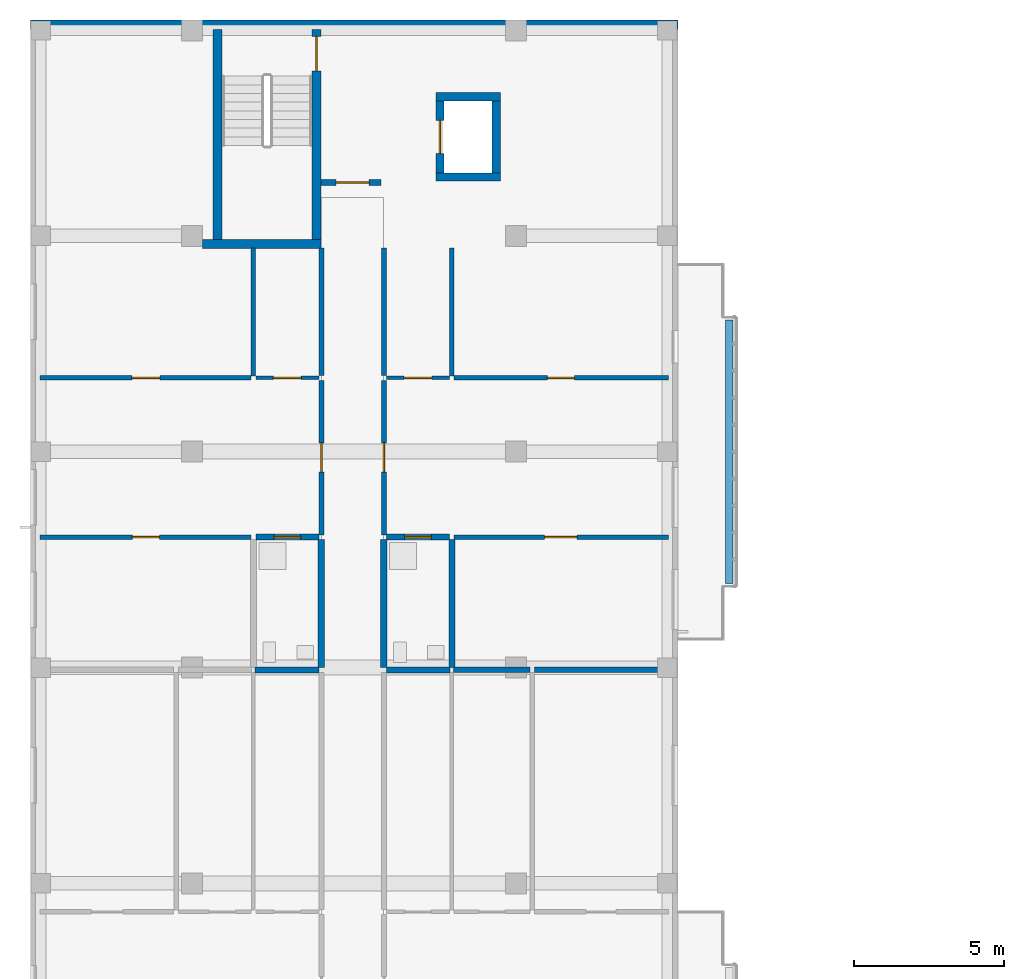
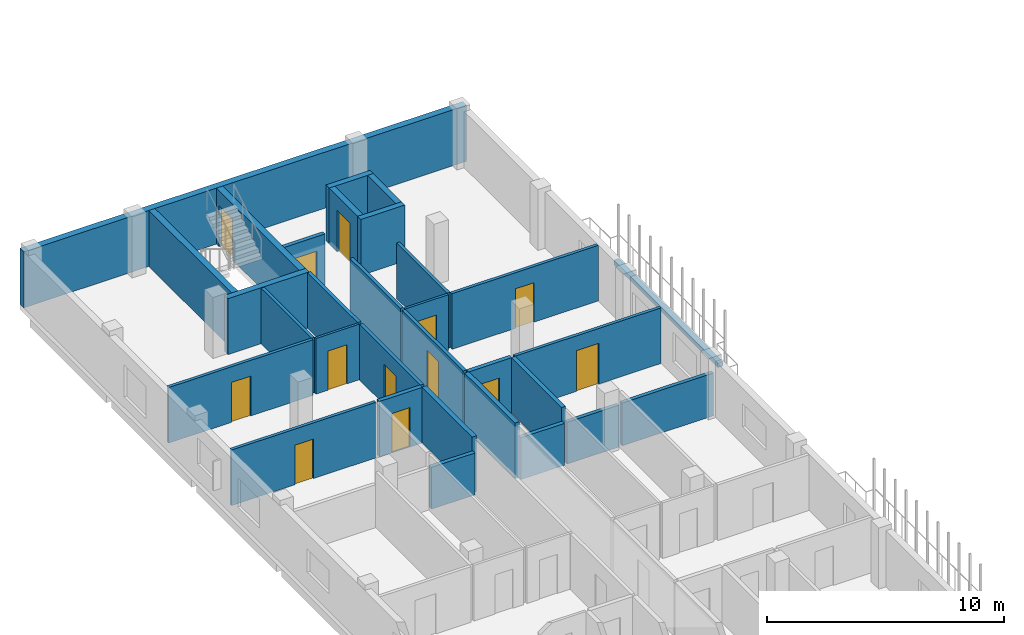
# One storey, part 29 of 51: 31 walls, 13 doors, 13 openings.
"""IFC4 building model written with IfcOpenShell, lengths in metres."""

from ifc_helpers import new_model, si_unit, derived_unit, direction, frame, frame_2d, origin, place, context, subcontext, project, spatial, rectangle, extrude, material, layer, layer_set, type_object, element, fill, save


model = new_model("IFC4")

# Units and contexts
model_context = context("Model", 3, precision=1e-05, world=origin(), true_north=direction((0.0, 1.0)))
body_context = subcontext(model_context, "Body", "Model", "MODEL_VIEW")
ifc_project = project(units=[si_unit("LENGTHUNIT", "METRE"), si_unit("AREAUNIT", "SQUARE_METRE"), si_unit("VOLUMEUNIT", "CUBIC_METRE"), si_unit("PLANEANGLEUNIT", "RADIAN"), si_unit("MASSUNIT", "GRAM", prefix="KILO"), derived_unit("THERMALTRANSMITTANCEUNIT", [(si_unit("MASSUNIT", "GRAM", prefix="KILO"), 1), (si_unit("TIMEUNIT", "SECOND"), -3), (si_unit("THERMODYNAMICTEMPERATUREUNIT", "KELVIN"), -1)])], contexts=[model_context])

# Site, building, storey
site_placement = place(None, origin())
site = spatial("IfcSite", under=ifc_project, at=site_placement, CompositionType="ELEMENT")
building_placement = place(site_placement, origin())
building = spatial("IfcBuilding", under=site, at=building_placement, Name="Ochrekiln Boulevard Commons", CompositionType="ELEMENT")
storey_placement = place(building_placement, frame((0.0, 0.0, 15.22509765625)))
storey = spatial("IfcBuildingStorey", under=building, at=storey_placement, Name="L04", CompositionType="ELEMENT", Elevation=15.22509765625)

# Walls
ifc_material_1 = material(Name="Desert ochre clinker brick masonry ASTM C216 Grade SW", Category="masonry")
ifc_layer_1 = layer(ifc_material_1, 0.320068359375)
ifc_layer_set_1 = layer_set([ifc_layer_1], Name="Desert ochre clinker brick masonry ASTM C216 Grade SW")
wall_type_1 = type_object("IfcWallType", Name="WL-EXT-OCHRE-320", PredefinedType="SOLIDWALL", material=ifc_layer_set_1)
wall_1_placement = place(storey_placement, frame((0.0, 118.639892578125, 0.0), z_axis=(0.0, 0.0, 1.0), x_axis=(1.0, 0.0, 0.0)))
element("IfcWall", 1, at=wall_1_placement, inside=storey, type_object=wall_type_1, Name="Block A L04 N Exterior Wall", PredefinedType="SOLIDWALL", context=body_context, shape_type="SweptSolid", body=[
    extrude(rectangle(XDim=21.60009765625, YDim=0.320068359375, at=frame_2d((10.800048828125, 0.0))), origin(), (0.0, 0.0, 1.0), 2.889892578125),
])
ifc_material_2 = material(Name="Moisture-resistant cementitious tile backer wall")
ifc_layer_2 = layer(ifc_material_2, 0.199951171875)
ifc_layer_set_2 = layer_set([ifc_layer_2], Name="Moisture-resistant cementitious tile backer wall")
wall_type_2 = type_object("IfcWallType", Name="WL-PLM-200", PredefinedType="PLUMBINGWALL", material=ifc_layer_set_2)
wall_2_placement = place(storey_placement, frame((7.5, 97.1201171875, 0.0), z_axis=(0.0, 0.0, 1.0), x_axis=(1.0, 0.0, 0.0)))
element("IfcWall", 2, at=wall_2_placement, inside=storey, type_object=wall_type_2, Name="L04 Interior Wall W-PW200", PredefinedType="PLUMBINGWALL", context=body_context, shape_type="SweptSolid", body=[
    extrude(rectangle(XDim=2.1279296875, YDim=0.199951171875, at=frame_2d((1.06396484375, 0.0))), origin(), (0.0, 0.0, 1.0), 2.159912109375),
])

# Wall, opening, door
wall_3_placement = place(storey_placement, frame((7.52001953125, 101.547119140625, 0.0), z_axis=(0.0, 0.0, 1.0), x_axis=(1.0, 0.0, 0.0)))
wall_3 = element("IfcWall", 3, at=wall_3_placement, inside=storey, type_object=wall_type_2, Name="L04 Interior Wall W-PW200", PredefinedType="PLUMBINGWALL", context=body_context, shape_type="SweptSolid", body=[
    extrude(rectangle(XDim=2.10791015625, YDim=0.199951171875, at=frame_2d((1.053955078125, 0.0))), origin(), (0.0, 0.0, 1.0), 2.869873046875),
])
opening_1_placement = place(wall_3_placement, frame((0.60498046875, 0.0, 0.0)))
opening_1 = element("IfcOpeningElement", 4, at=opening_1_placement, cuts=wall_3, Name="Opening D-L04-569", PredefinedType="OPENING", context=body_context, shape_type="SweptSolid", body=[
    extrude(rectangle(XDim=0.889892578125, YDim=2.030029296875, at=frame_2d((0.44482421875, 1.01513671875))), frame((0.0, 0.10986328125, 0.0), z_axis=(0.0, -1.0, 0.0), x_axis=(1.0, 0.0, 0.0)), (0.0, 0.0, 1.0), 0.219970703125),
])
ifc_material_3 = material(Name="Solid core architectural oak door leaf")
door_type_1 = type_object("IfcDoorType", Name="DR-INT-BTH-089", OperationType="NOTDEFINED", PredefinedType="DOOR", material=ifc_material_3)
door_1_placement = place(opening_1_placement, frame((0.889892578125, 0.0, 0.0), z_axis=(0.0, 0.0, 1.0), x_axis=(-1.0, 0.0, 0.0)))
door_1 = element("IfcDoor", 5, at=door_1_placement, inside=storey, type_object=door_type_1, Name="L04 Interior Door to Apartment Bathroom", OperationType="SINGLE_SWING_LEFT", OverallHeight=2.030029296875, OverallWidth=0.889892578125, PredefinedType="DOOR", context=body_context, shape_type="SweptSolid", body=[
    extrude(rectangle(XDim=0.889892578125, YDim=2.030029296875, at=frame_2d((0.44482421875, 1.01513671875))), frame((0.0, 0.02490234375, 0.0), z_axis=(0.0, -1.0, 0.0), x_axis=(1.0, 0.0, 0.0)), (0.0, 0.0, 1.0), 0.050048828125),
])
fill(opening_1, door_1)

# Wall
wall_4_placement = place(storey_placement, frame((11.8720703125, 97.1201171875, 0.0), z_axis=(0.0, 0.0, 1.0), x_axis=(1.0, 0.0, 0.0)))
element("IfcWall", 6, at=wall_4_placement, inside=storey, type_object=wall_type_2, Name="L04 Interior Wall W-PW200", PredefinedType="PLUMBINGWALL", context=body_context, shape_type="SweptSolid", body=[
    extrude(rectangle(XDim=2.1279296875, YDim=0.199951171875, at=frame_2d((1.06396484375, 0.0))), origin(), (0.0, 0.0, 1.0), 2.159912109375),
])

# Wall, opening, door
wall_5_placement = place(storey_placement, frame((11.8720703125, 101.547119140625, 0.0), z_axis=(0.0, 0.0, 1.0), x_axis=(1.0, 0.0, 0.0)))
wall_5 = element("IfcWall", 7, at=wall_5_placement, inside=storey, type_object=wall_type_2, Name="L04 Interior Wall W-PW200", PredefinedType="PLUMBINGWALL", context=body_context, shape_type="SweptSolid", body=[
    extrude(rectangle(XDim=2.10791015625, YDim=0.199951171875, at=frame_2d((1.053955078125, 0.0))), origin(), (0.0, 0.0, 1.0), 2.869873046875),
])
opening_2_placement = place(wall_5_placement, frame((0.613037109375, 0.0, 0.0)))
opening_2 = element("IfcOpeningElement", 8, at=opening_2_placement, cuts=wall_5, Name="Opening D-L04-580", PredefinedType="OPENING", context=body_context, shape_type="SweptSolid", body=[
    extrude(rectangle(XDim=0.889892578125, YDim=2.030029296875, at=frame_2d((0.44482421875, 1.01513671875))), frame((0.0, 0.10986328125, 0.0), z_axis=(0.0, -1.0, 0.0), x_axis=(1.0, 0.0, 0.0)), (0.0, 0.0, 1.0), 0.219970703125),
])
door_2_placement = place(opening_2_placement, frame((0.889892578125, 0.0, 0.0), z_axis=(0.0, 0.0, 1.0), x_axis=(-1.0, 0.0, 0.0)))
door_2 = element("IfcDoor", 9, at=door_2_placement, inside=storey, type_object=door_type_1, Name="L04 Interior Door to Apartment Bathroom", OperationType="SINGLE_SWING_RIGHT", OverallHeight=2.030029296875, OverallWidth=0.889892578125, PredefinedType="DOOR", context=body_context, shape_type="SweptSolid", body=[
    extrude(rectangle(XDim=0.889892578125, YDim=2.030029296875, at=frame_2d((0.44482421875, 1.01513671875))), frame((0.0, 0.02490234375, 0.0), z_axis=(0.0, -1.0, 0.0), x_axis=(1.0, 0.0, 0.0)), (0.0, 0.0, 1.0), 0.050048828125),
])
fill(opening_2, door_2)

# Walls
wall_6_placement = place(storey_placement, frame((14.06005859375, 97.2099609375, 0.0), z_axis=(0.0, 0.0, 1.0), x_axis=(0.0, 1.0, 0.0)))
element("IfcWall", 10, at=wall_6_placement, inside=storey, type_object=wall_type_2, Name="L04 Interior Wall W-PW200", PredefinedType="PLUMBINGWALL", context=body_context, shape_type="SweptSolid", body=[
    extrude(rectangle(XDim=4.257080078125, YDim=0.199951171875, at=frame_2d((2.12841796875, 0.0))), origin(), (0.0, 0.0, 1.0), 2.869873046875),
])
ifc_layer_3 = layer(ifc_material_2, 0.219970703125)
ifc_layer_set_3 = layer_set([ifc_layer_3], Name="Moisture-resistant cementitious tile backer wall")
wall_type_3 = type_object("IfcWallType", Name="WL-PLM-220", PredefinedType="PLUMBINGWALL", material=ifc_layer_set_3)
for number, where, z_axis, x_axis, name in (
    (11, (9.7099609375, 97.2099609375, 0.0), (0.0, 0.0, 1.0), (0.0, 1.0, 0.0), "L04 Interior Wall W-PW220"),
    (12, (11.7900390625, 97.2099609375, 0.0), (0.0, 0.0, 1.0), (0.0, 1.0, 0.0), "L04 Interior Wall W-PW220"),
):
    element("IfcWall", number, at=place(storey_placement, frame(where, z_axis=z_axis, x_axis=x_axis)), inside=storey, type_object=wall_type_3, Name=name, PredefinedType="PLUMBINGWALL", context=body_context, shape_type="SweptSolid", body=[
        extrude(rectangle(XDim=4.257080078125, YDim=0.219970703125, at=frame_2d((2.12841796875, 0.0))), origin(), (0.0, 0.0, 1.0), 2.869873046875),
    ])
ifc_material_4 = material(Name="Glazed architectural terracotta ASTM C1405", Category="masonry")
ifc_layer_4 = layer(ifc_material_4, 0.25)
ifc_layer_set_4 = layer_set([ifc_layer_4], Name="Glazed architectural terracotta ASTM C1405")
wall_type_4 = type_object("IfcWallType", Name="WL-PLN-250", PredefinedType="PARAPET", material=ifc_layer_set_4)
wall_7_placement = place(storey_placement, frame((23.320068359375, 100.010009765625, 0.0), z_axis=(0.0, 0.0, 1.0), x_axis=(0.0, 1.0, 0.0)))
element("IfcWall", 13, at=wall_7_placement, inside=storey, type_object=wall_type_4, Name="Block A L04 Balcony Terracotta Planter Box 2", PredefinedType="PARAPET", context=body_context, shape_type="SweptSolid", body=[
    extrude(rectangle(XDim=8.780029296875, YDim=0.25, at=frame_2d((4.39013671875, 0.0))), origin(), (0.0, 0.0, 1.0), 0.22998046875),
])

# Wall, opening, door
ifc_material_5 = material(Name="Fire-rated Type X gypsum board on steel studs", Category="steel")
ifc_layer_5 = layer(ifc_material_5, 0.1650390625)
ifc_layer_set_5 = layer_set([ifc_layer_5], Name="Fire-rated Type X gypsum board on steel studs")
wall_type_5 = type_object("IfcWallType", Name="WL-PT-CORR-165", PredefinedType="PARTITIONING", material=ifc_layer_set_5)
wall_8_placement = place(storey_placement, frame((9.7099609375, 101.626953125, 0.0), z_axis=(0.0, 0.0, 1.0), x_axis=(0.0, 1.0, 0.0)))
wall_8 = element("IfcWall", 14, at=wall_8_placement, inside=storey, type_object=wall_type_5, Name="L04 Interior Wall W-PC165", PredefinedType="PARTITIONING", context=body_context, shape_type="SweptSolid", body=[
    extrude(rectangle(XDim=5.156005859375, YDim=0.1650390625, at=frame_2d((2.578125, 0.0))), origin(), (0.0, 0.0, 1.0), 2.869873046875),
])
opening_3_placement = place(wall_8_placement, frame((2.087890625, 0.0, 0.0)))
opening_3 = element("IfcOpeningElement", 15, at=opening_3_placement, cuts=wall_8, Name="Opening D-L04-559", PredefinedType="OPENING", context=body_context, shape_type="SweptSolid", body=[
    extrude(rectangle(XDim=0.97998046875, YDim=2.080078125, at=frame_2d((0.489990234375, 1.0400390625))), frame((0.0, 0.092529296875, 0.0), z_axis=(0.0, -1.0, 0.0), x_axis=(1.0, 0.0, 0.0)), (0.0, 0.0, 1.0), 0.18505859375),
])
door_type_2 = type_object("IfcDoorType", Name="DR-APT-60", OperationType="NOTDEFINED", PredefinedType="DOOR", material=ifc_material_3)
door_3_placement = place(opening_3_placement, origin())
door_3 = element("IfcDoor", 16, at=door_3_placement, inside=storey, type_object=door_type_2, Name="L04 Interior Door to Two-Bedroom Apartment Living Room", OperationType="SINGLE_SWING_LEFT", OverallHeight=2.080078125, OverallWidth=0.97998046875, PredefinedType="DOOR", context=body_context, shape_type="SweptSolid", body=[
    extrude(rectangle(XDim=0.97998046875, YDim=2.080078125, at=frame_2d((0.489990234375, 1.0400390625))), frame((0.0, 0.02490234375, 0.0), z_axis=(0.0, -1.0, 0.0), x_axis=(1.0, 0.0, 0.0)), (0.0, 0.0, 1.0), 0.050048828125),
])
fill(opening_3, door_3)

# Wall
wall_9_placement = place(storey_placement, frame((9.7099609375, 106.943115234375, 0.0), z_axis=(0.0, 0.0, 1.0), x_axis=(0.0, 1.0, 0.0)))
element("IfcWall", 17, at=wall_9_placement, inside=storey, type_object=wall_type_5, Name="L04 Interior Wall W-PC165", PredefinedType="PARTITIONING", context=body_context, shape_type="SweptSolid", body=[
    extrude(rectangle(XDim=4.2568359375, YDim=0.1650390625, at=frame_2d((2.12841796875, 0.0))), origin(), (0.0, 0.0, 1.0), 2.869873046875),
])

# Wall, opening, door
wall_10_placement = place(storey_placement, frame((11.7900390625, 101.626953125, 0.0), z_axis=(0.0, 0.0, 1.0), x_axis=(0.0, 1.0, 0.0)))
wall_10 = element("IfcWall", 18, at=wall_10_placement, inside=storey, type_object=wall_type_5, Name="L04 Interior Wall W-PC165", PredefinedType="PARTITIONING", context=body_context, shape_type="SweptSolid", body=[
    extrude(rectangle(XDim=5.156005859375, YDim=0.1650390625, at=frame_2d((2.578125, 0.0))), origin(), (0.0, 0.0, 1.0), 2.869873046875),
])
opening_4_placement = place(wall_10_placement, frame((2.087890625, 0.0, 0.0)))
opening_4 = element("IfcOpeningElement", 19, at=opening_4_placement, cuts=wall_10, Name="Opening D-L04-561", PredefinedType="OPENING", context=body_context, shape_type="SweptSolid", body=[
    extrude(rectangle(XDim=0.97998046875, YDim=2.080078125, at=frame_2d((0.489990234375, 1.0400390625))), frame((0.0, 0.092529296875, 0.0), z_axis=(0.0, -1.0, 0.0), x_axis=(1.0, 0.0, 0.0)), (0.0, 0.0, 1.0), 0.18505859375),
])
door_4_placement = place(opening_4_placement, frame((0.97998046875, 0.0, 0.0), z_axis=(0.0, 0.0, 1.0), x_axis=(-1.0, 0.0, 0.0)))
door_4 = element("IfcDoor", 20, at=door_4_placement, inside=storey, type_object=door_type_2, Name="L04 Interior Door to Two-Bedroom Apartment Living Room", OperationType="SINGLE_SWING_LEFT", OverallHeight=2.080078125, OverallWidth=0.97998046875, PredefinedType="DOOR", context=body_context, shape_type="SweptSolid", body=[
    extrude(rectangle(XDim=0.97998046875, YDim=2.080078125, at=frame_2d((0.489990234375, 1.0400390625))), frame((0.0, 0.02490234375, 0.0), z_axis=(0.0, -1.0, 0.0), x_axis=(1.0, 0.0, 0.0)), (0.0, 0.0, 1.0), 0.050048828125),
])
fill(opening_4, door_4)

# Walls
wall_11_placement = place(storey_placement, frame((11.7900390625, 106.943115234375, 0.0), z_axis=(0.0, 0.0, 1.0), x_axis=(0.0, 1.0, 0.0)))
element("IfcWall", 21, at=wall_11_placement, inside=storey, type_object=wall_type_5, Name="L04 Interior Wall W-PC165", PredefinedType="PARTITIONING", context=body_context, shape_type="SweptSolid", body=[
    extrude(rectangle(XDim=4.2568359375, YDim=0.1650390625, at=frame_2d((2.12841796875, 0.0))), origin(), (0.0, 0.0, 1.0), 2.869873046875),
])
ifc_layer_6 = layer(ifc_material_5, 0.179931640625)
ifc_layer_set_6 = layer_set([ifc_layer_6], Name="Fire-rated Type X gypsum board on steel studs")
wall_type_6 = type_object("IfcWallType", Name="WL-PT-DEM-180", PredefinedType="PARTITIONING", material=ifc_layer_set_6)
wall_12_placement = place(storey_placement, frame((16.81494140625, 97.1201171875, 0.0), z_axis=(0.0, 0.0, 1.0), x_axis=(1.0, 0.0, 0.0)))
element("IfcWall", 22, at=wall_12_placement, inside=storey, type_object=wall_type_6, Name="L04 Interior Wall W-PD180", PredefinedType="PARTITIONING", context=body_context, shape_type="SweptSolid", body=[
    extrude(rectangle(XDim=4.465087890625, YDim=0.179931640625, at=frame_2d((2.232421875, 0.0))), origin(), (0.0, 0.0, 1.0), 2.2099609375),
])
wall_13_placement = place(storey_placement, frame((14.1201171875, 97.1201171875, 0.0), z_axis=(0.0, 0.0, 1.0), x_axis=(1.0, 0.0, 0.0)))
element("IfcWall", 23, at=wall_13_placement, inside=storey, type_object=wall_type_6, Name="L04 Interior Wall W-PD180", PredefinedType="PARTITIONING", context=body_context, shape_type="SweptSolid", body=[
    extrude(rectangle(XDim=2.539794921875, YDim=0.179931640625, at=frame_2d((1.27001953125, 0.0))), origin(), (0.0, 0.0, 1.0), 2.159912109375),
])

# Wall, opening, door
ifc_layer_7 = layer(ifc_material_5, 0.18994140625)
ifc_layer_set_7 = layer_set([ifc_layer_7], Name="Fire-rated Type X gypsum board on steel studs")
wall_type_7 = type_object("IfcWallType", Name="WL-PT-LBY-190", PredefinedType="PARTITIONING", material=ifc_layer_set_7)
wall_14_placement = place(storey_placement, frame((9.699951171875, 113.3798828125, 0.0), z_axis=(0.0, 0.0, 1.0), x_axis=(1.0, 0.0, 0.0)))
wall_14 = element("IfcWall", 24, at=wall_14_placement, inside=storey, type_object=wall_type_7, Name="L04 Interior Wall W-PL190", PredefinedType="PARTITIONING", context=body_context, shape_type="SweptSolid", body=[
    extrude(rectangle(XDim=2.0, YDim=0.18994140625, at=frame_2d((1.0, 0.0))), origin(), (0.0, 0.0, 1.0), 2.869873046875),
])
opening_5_placement = place(wall_14_placement, frame((0.5, 0.0, 0.0)))
opening_5 = element("IfcOpeningElement", 25, at=opening_5_placement, cuts=wall_14, Name="Opening D-L04-556", PredefinedType="OPENING", context=body_context, shape_type="SweptSolid", body=[
    extrude(rectangle(XDim=1.10009765625, YDim=2.1201171875, at=frame_2d((0.550048828125, 1.06005859375))), frame((0.0, 0.10498046875, 0.0), z_axis=(0.0, -1.0, 0.0), x_axis=(1.0, 0.0, 0.0)), (0.0, 0.0, 1.0), 0.2099609375),
])
ifc_material_6 = material(Name="Hollow metal fire-rated steel door assembly", Category="steel")
door_type_3 = type_object("IfcDoorType", Name="DR-LOBBY-60", OperationType="NOTDEFINED", PredefinedType="DOOR", material=ifc_material_6)
door_5_placement = place(opening_5_placement, origin())
door_5 = element("IfcDoor", 26, at=door_5_placement, inside=storey, type_object=door_type_3, Name="L04 Interior Door to Fire Service Access Elevator Lobby", OperationType="SINGLE_SWING_RIGHT", OverallHeight=2.1201171875, OverallWidth=1.10009765625, PredefinedType="DOOR", context=body_context, shape_type="SweptSolid", body=[
    extrude(rectangle(XDim=1.10009765625, YDim=2.1201171875, at=frame_2d((0.550048828125, 1.06005859375))), frame((0.0, 0.02490234375, 0.0), z_axis=(0.0, -1.0, 0.0), x_axis=(1.0, 0.0, 0.0)), (0.0, 0.0, 1.0), 0.050048828125),
])
fill(opening_5, door_5)

ifc_layer_8 = layer(ifc_material_5, 0.1201171875)
ifc_layer_set_8 = layer_set([ifc_layer_8], Name="Fire-rated Type X gypsum board on steel studs")
wall_type_8 = type_object("IfcWallType", Name="WL-PT-LGT-120", PredefinedType="PARTITIONING", material=ifc_layer_set_8)
wall_15_placement = place(storey_placement, frame((7.52001953125, 106.863037109375, 0.0), z_axis=(0.0, 0.0, 1.0), x_axis=(1.0, 0.0, 0.0)))
wall_15 = element("IfcWall", 27, at=wall_15_placement, inside=storey, type_object=wall_type_8, Name="L04 Interior Wall W-PL120", PredefinedType="PARTITIONING", context=body_context, shape_type="SweptSolid", body=[
    extrude(rectangle(XDim=2.10791015625, YDim=0.1201171875, at=frame_2d((1.053955078125, 0.0))), origin(), (0.0, 0.0, 1.0), 2.869873046875),
])
opening_6_placement = place(wall_15_placement, frame((0.590087890625, 0.0, 0.0)))
opening_6 = element("IfcOpeningElement", 28, at=opening_6_placement, cuts=wall_15, Name="Opening D-L04-570", PredefinedType="OPENING", context=body_context, shape_type="SweptSolid", body=[
    extrude(rectangle(XDim=0.919921875, YDim=2.02001953125, at=frame_2d((0.4599609375, 1.010009765625))), frame((0.0, 0.070068359375, 0.0), z_axis=(0.0, -1.0, 0.0), x_axis=(1.0, 0.0, 0.0)), (0.0, 0.0, 1.0), 0.14013671875),
])
door_type_4 = type_object("IfcDoorType", Name="DR-INT-KIT-092", OperationType="NOTDEFINED", PredefinedType="DOOR", material=ifc_material_3)
door_6_placement = place(opening_6_placement, origin())
door_6 = element("IfcDoor", 29, at=door_6_placement, inside=storey, type_object=door_type_4, Name="L04 Interior Door to Apartment Kitchen", OperationType="SINGLE_SWING_RIGHT", OverallHeight=2.02001953125, OverallWidth=0.919921875, PredefinedType="DOOR", context=body_context, shape_type="SweptSolid", body=[
    extrude(rectangle(XDim=0.919921875, YDim=2.02001953125, at=frame_2d((0.4599609375, 1.010009765625))), frame((0.0, 0.02490234375, 0.0), z_axis=(0.0, -1.0, 0.0), x_axis=(1.0, 0.0, 0.0)), (0.0, 0.0, 1.0), 0.050048828125),
])
fill(opening_6, door_6)

wall_16_placement = place(storey_placement, frame((11.8720703125, 106.863037109375, 0.0), z_axis=(0.0, 0.0, 1.0), x_axis=(1.0, 0.0, 0.0)))
wall_16 = element("IfcWall", 30, at=wall_16_placement, inside=storey, type_object=wall_type_8, Name="L04 Interior Wall W-PL120", PredefinedType="PARTITIONING", context=body_context, shape_type="SweptSolid", body=[
    extrude(rectangle(XDim=2.10791015625, YDim=0.1201171875, at=frame_2d((1.053955078125, 0.0))), origin(), (0.0, 0.0, 1.0), 2.869873046875),
])
opening_7_placement = place(wall_16_placement, frame((0.597900390625, 0.0, 0.0)))
opening_7 = element("IfcOpeningElement", 31, at=opening_7_placement, cuts=wall_16, Name="Opening D-L04-581", PredefinedType="OPENING", context=body_context, shape_type="SweptSolid", body=[
    extrude(rectangle(XDim=0.919921875, YDim=2.02001953125, at=frame_2d((0.4599609375, 1.010009765625))), frame((0.0, 0.070068359375, 0.0), z_axis=(0.0, -1.0, 0.0), x_axis=(1.0, 0.0, 0.0)), (0.0, 0.0, 1.0), 0.14013671875),
])
door_7_placement = place(opening_7_placement, origin())
door_7 = element("IfcDoor", 32, at=door_7_placement, inside=storey, type_object=door_type_4, Name="L04 Interior Door to Apartment Kitchen", OperationType="SINGLE_SWING_LEFT", OverallHeight=2.02001953125, OverallWidth=0.919921875, PredefinedType="DOOR", context=body_context, shape_type="SweptSolid", body=[
    extrude(rectangle(XDim=0.919921875, YDim=2.02001953125, at=frame_2d((0.4599609375, 1.010009765625))), frame((0.0, 0.02490234375, 0.0), z_axis=(0.0, -1.0, 0.0), x_axis=(1.0, 0.0, 0.0)), (0.0, 0.0, 1.0), 0.050048828125),
])
fill(opening_7, door_7)

ifc_layer_9 = layer(ifc_material_5, 0.14990234375)
ifc_layer_set_9 = layer_set([ifc_layer_9], Name="Fire-rated Type X gypsum board on steel studs")
wall_type_9 = type_object("IfcWallType", Name="WL-PT-STD-150", PredefinedType="PARTITIONING", material=ifc_layer_set_9)
wall_17_placement = place(storey_placement, frame((0.320068359375, 101.547119140625, 0.0), z_axis=(0.0, 0.0, 1.0), x_axis=(1.0, 0.0, 0.0)))
wall_17 = element("IfcWall", 33, at=wall_17_placement, inside=storey, type_object=wall_type_9, Name="L04 Interior Wall W-PS150", PredefinedType="PARTITIONING", context=body_context, shape_type="SweptSolid", body=[
    extrude(rectangle(XDim=7.0400390625, YDim=0.14990234375, at=frame_2d((3.52001953125, 0.0))), origin(), (0.0, 0.0, 1.0), 2.869873046875),
])
opening_8_placement = place(wall_17_placement, frame((3.0849609375, 0.0, 0.0)))
opening_8 = element("IfcOpeningElement", 34, at=opening_8_placement, cuts=wall_17, Name="Opening D-L04-571", PredefinedType="OPENING", context=body_context, shape_type="SweptSolid", body=[
    extrude(rectangle(XDim=0.89990234375, YDim=2.0400390625, at=frame_2d((0.449951171875, 1.02001953125))), frame((0.0, 0.0849609375, 0.0), z_axis=(0.0, -1.0, 0.0), x_axis=(1.0, 0.0, 0.0)), (0.0, 0.0, 1.0), 0.169921875),
])
door_type_5 = type_object("IfcDoorType", Name="DR-INT-BED-090", OperationType="NOTDEFINED", PredefinedType="DOOR", material=ifc_material_3)
door_8_placement = place(opening_8_placement, frame((0.89990234375, 0.0, 0.0), z_axis=(0.0, 0.0, 1.0), x_axis=(-1.0, 0.0, 0.0)))
door_8 = element("IfcDoor", 35, at=door_8_placement, inside=storey, type_object=door_type_5, Name="L04 Interior Door to Primary Apartment Bedroom", OperationType="SINGLE_SWING_LEFT", OverallHeight=2.0400390625, OverallWidth=0.89990234375, PredefinedType="DOOR", context=body_context, shape_type="SweptSolid", body=[
    extrude(rectangle(XDim=0.89990234375, YDim=2.0400390625, at=frame_2d((0.449951171875, 1.02001953125))), frame((0.0, 0.02490234375, 0.0), z_axis=(0.0, -1.0, 0.0), x_axis=(1.0, 0.0, 0.0)), (0.0, 0.0, 1.0), 0.050048828125),
])
fill(opening_8, door_8)

wall_18_placement = place(storey_placement, frame((0.320068359375, 106.863037109375, 0.0), z_axis=(0.0, 0.0, 1.0), x_axis=(1.0, 0.0, 0.0)))
wall_18 = element("IfcWall", 36, at=wall_18_placement, inside=storey, type_object=wall_type_9, Name="L04 Interior Wall W-PS150", PredefinedType="PARTITIONING", context=body_context, shape_type="SweptSolid", body=[
    extrude(rectangle(XDim=7.0400390625, YDim=0.14990234375, at=frame_2d((3.52001953125, 0.0))), origin(), (0.0, 0.0, 1.0), 2.869873046875),
])
opening_9_placement = place(wall_18_placement, frame((3.06494140625, 0.0, 0.0)))
opening_9 = element("IfcOpeningElement", 37, at=opening_9_placement, cuts=wall_18, Name="Opening D-L04-572", PredefinedType="OPENING", context=body_context, shape_type="SweptSolid", body=[
    extrude(rectangle(XDim=0.93994140625, YDim=2.06005859375, at=frame_2d((0.469970703125, 1.030029296875))), frame((0.0, 0.0849609375, 0.0), z_axis=(0.0, -1.0, 0.0), x_axis=(1.0, 0.0, 0.0)), (0.0, 0.0, 1.0), 0.169921875),
])
door_type_6 = type_object("IfcDoorType", Name="DR-INT-BED-094", OperationType="NOTDEFINED", PredefinedType="DOOR", material=ifc_material_3)
door_9_placement = place(opening_9_placement, origin())
door_9 = element("IfcDoor", 38, at=door_9_placement, inside=storey, type_object=door_type_6, Name="L04 Interior Door to Secondary Apartment Bedroom", OperationType="SINGLE_SWING_RIGHT", OverallHeight=2.06005859375, OverallWidth=0.93994140625, PredefinedType="DOOR", context=body_context, shape_type="SweptSolid", body=[
    extrude(rectangle(XDim=0.93994140625, YDim=2.06005859375, at=frame_2d((0.469970703125, 1.030029296875))), frame((0.0, 0.02490234375, 0.0), z_axis=(0.0, -1.0, 0.0), x_axis=(1.0, 0.0, 0.0)), (0.0, 0.0, 1.0), 0.050048828125),
])
fill(opening_9, door_9)

# Wall
wall_19_placement = place(storey_placement, frame((7.43994140625, 106.923095703125, 0.0), z_axis=(0.0, 0.0, 1.0), x_axis=(0.0, 1.0, 0.0)))
element("IfcWall", 39, at=wall_19_placement, inside=storey, type_object=wall_type_9, Name="L04 Interior Wall W-PS150", PredefinedType="PARTITIONING", context=body_context, shape_type="SweptSolid", body=[
    extrude(rectangle(XDim=4.27685546875, YDim=0.14990234375, at=frame_2d((2.138427734375, 0.0))), origin(), (0.0, 0.0, 1.0), 2.869873046875),
])

# Wall, opening, door
wall_20_placement = place(storey_placement, frame((14.139892578125, 101.547119140625, 0.0), z_axis=(0.0, 0.0, 1.0), x_axis=(1.0, 0.0, 0.0)))
wall_20 = element("IfcWall", 40, at=wall_20_placement, inside=storey, type_object=wall_type_9, Name="L04 Interior Wall W-PS150", PredefinedType="PARTITIONING", context=body_context, shape_type="SweptSolid", body=[
    extrude(rectangle(XDim=7.14013671875, YDim=0.14990234375, at=frame_2d((3.570068359375, 0.0))), origin(), (0.0, 0.0, 1.0), 2.869873046875),
])
opening_10_placement = place(wall_20_placement, frame((3.014892578125, 0.0, 0.0)))
opening_10 = element("IfcOpeningElement", 41, at=opening_10_placement, cuts=wall_20, Name="Opening D-L04-582", PredefinedType="OPENING", context=body_context, shape_type="SweptSolid", body=[
    extrude(rectangle(XDim=1.080078125, YDim=2.10009765625, at=frame_2d((0.5400390625, 1.050048828125))), frame((0.0, 0.0849609375, 0.0), z_axis=(0.0, -1.0, 0.0), x_axis=(1.0, 0.0, 0.0)), (0.0, 0.0, 1.0), 0.169921875),
])
door_type_7 = type_object("IfcDoorType", Name="DR-INT-BED-108", OperationType="NOTDEFINED", PredefinedType="DOOR", material=ifc_material_3)
door_10_placement = place(opening_10_placement, frame((1.080078125, 0.0, 0.0), z_axis=(0.0, 0.0, 1.0), x_axis=(-1.0, 0.0, 0.0)))
door_10 = element("IfcDoor", 42, at=door_10_placement, inside=storey, type_object=door_type_7, Name="L04 Interior Door to Primary Apartment Bedroom", OperationType="SINGLE_SWING_RIGHT", OverallHeight=2.10009765625, OverallWidth=1.080078125, PredefinedType="DOOR", context=body_context, shape_type="SweptSolid", body=[
    extrude(rectangle(XDim=1.080078125, YDim=2.10009765625, at=frame_2d((0.5400390625, 1.050048828125))), frame((0.0, 0.02490234375, 0.0), z_axis=(0.0, -1.0, 0.0), x_axis=(1.0, 0.0, 0.0)), (0.0, 0.0, 1.0), 0.050048828125),
])
fill(opening_10, door_10)

wall_21_placement = place(storey_placement, frame((14.139892578125, 106.863037109375, 0.0), z_axis=(0.0, 0.0, 1.0), x_axis=(1.0, 0.0, 0.0)))
wall_21 = element("IfcWall", 43, at=wall_21_placement, inside=storey, type_object=wall_type_9, Name="L04 Interior Wall W-PS150", PredefinedType="PARTITIONING", context=body_context, shape_type="SweptSolid", body=[
    extrude(rectangle(XDim=7.14013671875, YDim=0.14990234375, at=frame_2d((3.570068359375, 0.0))), origin(), (0.0, 0.0, 1.0), 2.869873046875),
])
opening_11_placement = place(wall_21_placement, frame((3.10498046875, 0.0, 0.0)))
opening_11 = element("IfcOpeningElement", 44, at=opening_11_placement, cuts=wall_21, Name="Opening D-L04-583", PredefinedType="OPENING", context=body_context, shape_type="SweptSolid", body=[
    extrude(rectangle(XDim=0.89990234375, YDim=2.0400390625, at=frame_2d((0.449951171875, 1.02001953125))), frame((0.0, 0.0849609375, 0.0), z_axis=(0.0, -1.0, 0.0), x_axis=(1.0, 0.0, 0.0)), (0.0, 0.0, 1.0), 0.169921875),
])
door_11_placement = place(opening_11_placement, origin())
door_11 = element("IfcDoor", 45, at=door_11_placement, inside=storey, type_object=door_type_5, Name="L04 Interior Door to Secondary Apartment Bedroom", OperationType="SINGLE_SWING_LEFT", OverallHeight=2.0400390625, OverallWidth=0.89990234375, PredefinedType="DOOR", context=body_context, shape_type="SweptSolid", body=[
    extrude(rectangle(XDim=0.89990234375, YDim=2.0400390625, at=frame_2d((0.449951171875, 1.02001953125))), frame((0.0, 0.02490234375, 0.0), z_axis=(0.0, -1.0, 0.0), x_axis=(1.0, 0.0, 0.0)), (0.0, 0.0, 1.0), 0.050048828125),
])
fill(opening_11, door_11)

# Walls
wall_22_placement = place(storey_placement, frame((14.06005859375, 106.923095703125, 0.0), z_axis=(0.0, 0.0, 1.0), x_axis=(0.0, 1.0, 0.0)))
element("IfcWall", 46, at=wall_22_placement, inside=storey, type_object=wall_type_9, Name="L04 Interior Wall W-PS150", PredefinedType="PARTITIONING", context=body_context, shape_type="SweptSolid", body=[
    extrude(rectangle(XDim=4.27685546875, YDim=0.14990234375, at=frame_2d((2.138427734375, 0.0))), origin(), (0.0, 0.0, 1.0), 2.869873046875),
])
ifc_material_7 = material(Name="Concrete C40/50", Category="concrete")
ifc_layer_10 = layer(ifc_material_7, 0.27490234375)
ifc_layer_set_10 = layer_set([ifc_layer_10], Name="Concrete C40/50")
wall_type_10 = type_object("IfcWallType", Name="WL-SH-275", PredefinedType="SHEAR", material=ifc_layer_set_10)
for number, where, z_axis, x_axis, name in (
    (47, (13.52490234375, 113.5625, 0.0), (0.0, 0.0, 1.0), (1.0, 0.0, 0.0), "Elevator FF-A2 L04 Hoistway Shear Wall"),
    (48, (13.52490234375, 116.237548828125, 0.0), (0.0, 0.0, 1.0), (1.0, 0.0, 0.0), "Elevator FF-A2 L04 Hoistway Shear Wall"),
):
    element("IfcWall", number, at=place(storey_placement, frame(where, z_axis=z_axis, x_axis=x_axis)), inside=storey, type_object=wall_type_10, Name=name, PredefinedType="SHEAR", context=body_context, shape_type="SweptSolid", body=[
        extrude(rectangle(XDim=2.150146484375, YDim=0.27490234375, at=frame_2d((1.0751953125, 0.0))), origin(), (0.0, 0.0, 1.0), 2.889892578125),
    ])

# Wall, opening, door
wall_23_placement = place(storey_placement, frame((13.66259765625, 113.699951171875, 0.0), z_axis=(0.0, 0.0, 1.0), x_axis=(0.0, 1.0, 0.0)))
wall_23 = element("IfcWall", 49, at=wall_23_placement, inside=storey, type_object=wall_type_10, Name="Elevator FF-A2 L04 Hoistway Shear Wall", PredefinedType="SHEAR", context=body_context, shape_type="SweptSolid", body=[
    extrude(rectangle(XDim=2.400146484375, YDim=0.27490234375, at=frame_2d((1.2001953125, 0.0))), origin(), (0.0, 0.0, 1.0), 2.889892578125),
])
opening_12_placement = place(wall_23_placement, frame((0.64990234375, 0.0, 0.0)))
opening_12 = element("IfcOpeningElement", 50, at=opening_12_placement, cuts=wall_23, Name="Opening LD-FF-A2-L04", PredefinedType="OPENING", context=body_context, shape_type="SweptSolid", body=[
    extrude(rectangle(XDim=1.10009765625, YDim=2.14990234375, at=frame_2d((0.550048828125, 1.074951171875))), frame((0.0, 0.1474609375, 0.0), z_axis=(0.0, -1.0, 0.0), x_axis=(1.0, 0.0, 0.0)), (0.0, 0.0, 1.0), 0.294921875),
])
ifc_material_8 = material(Name="Brushed stainless steel 316 elevator cab and doors", Category="steel")
door_type_8 = type_object("IfcDoorType", Name="DR-LIFT-LD90", OperationType="SLIDING_TO_LEFT", PredefinedType="DOOR", material=ifc_material_8)
door_12_placement = place(opening_12_placement, origin())
door_12 = element("IfcDoor", 51, at=door_12_placement, inside=storey, type_object=door_type_8, Name="Elevator FF-A2 L04 Sliding Landing Door LD-FF-A2-L04", OperationType="SLIDING_TO_LEFT", OverallHeight=2.14990234375, OverallWidth=1.10009765625, PredefinedType="DOOR", context=body_context, shape_type="SweptSolid", body=[
    extrude(rectangle(XDim=1.10009765625, YDim=2.14990234375, at=frame_2d((0.550048828125, 1.074951171875))), frame((0.0, 0.02490234375, 0.0), z_axis=(0.0, -1.0, 0.0), x_axis=(1.0, 0.0, 0.0)), (0.0, 0.0, 1.0), 0.050048828125),
])
fill(opening_12, door_12)

# Walls
wall_24_placement = place(storey_placement, frame((15.53759765625, 113.699951171875, 0.0), z_axis=(0.0, 0.0, 1.0), x_axis=(0.0, 1.0, 0.0)))
element("IfcWall", 52, at=wall_24_placement, inside=storey, type_object=wall_type_10, Name="Elevator FF-A2 L04 Hoistway Shear Wall", PredefinedType="SHEAR", context=body_context, shape_type="SweptSolid", body=[
    extrude(rectangle(XDim=2.400146484375, YDim=0.27490234375, at=frame_2d((1.2001953125, 0.0))), origin(), (0.0, 0.0, 1.0), 2.889892578125),
])
ifc_layer_11 = layer(ifc_material_7, 0.300048828125)
ifc_layer_set_11 = layer_set([ifc_layer_11], Name="Concrete C40/50")
wall_type_11 = type_object("IfcWallType", Name="WL-SH-300", PredefinedType="SHEAR", material=ifc_layer_set_11)
wall_25_placement = place(storey_placement, frame((5.75, 111.330078125, 0.0), z_axis=(0.0, 0.0, 1.0), x_axis=(1.0, 0.0, 0.0)))
element("IfcWall", 53, at=wall_25_placement, inside=storey, type_object=wall_type_11, Name="Stair ST-A2 L04 Core Shear Wall S", PredefinedType="SHEAR", context=body_context, shape_type="SweptSolid", body=[
    extrude(rectangle(XDim=3.949951171875, YDim=0.300048828125, at=frame_2d((1.97509765625, 0.0))), origin(), (0.0, 0.0, 1.0), 2.889892578125),
])
wall_26_placement = place(storey_placement, frame((6.25, 111.47998046875, 0.0), z_axis=(0.0, 0.0, 1.0), x_axis=(0.0, 1.0, 0.0)))
element("IfcWall", 54, at=wall_26_placement, inside=storey, type_object=wall_type_11, Name="Stair ST-A2 L04 Core Shear Wall W", PredefinedType="SHEAR", context=body_context, shape_type="SweptSolid", body=[
    extrude(rectangle(XDim=7.0, YDim=0.300048828125, at=frame_2d((3.5, 0.0))), origin(), (0.0, 0.0, 1.0), 2.889892578125),
])

# Wall, opening, door
wall_27_placement = place(storey_placement, frame((9.550048828125, 111.47998046875, 0.0), z_axis=(0.0, 0.0, 1.0), x_axis=(0.0, 1.0, 0.0)))
wall_27 = element("IfcWall", 55, at=wall_27_placement, inside=storey, type_object=wall_type_11, Name="Stair ST-A2 L04 Core Shear Wall E", PredefinedType="SHEAR", context=body_context, shape_type="SweptSolid", body=[
    extrude(rectangle(XDim=7.0, YDim=0.300048828125, at=frame_2d((3.5, 0.0))), origin(), (0.0, 0.0, 1.0), 2.889892578125),
])
opening_13_placement = place(wall_27_placement, frame((5.625, 0.0, 0.0)))
opening_13 = element("IfcOpeningElement", 56, at=opening_13_placement, cuts=wall_27, Name="Opening D-L04-ST-A2", PredefinedType="OPENING", context=body_context, shape_type="SweptSolid", body=[
    extrude(rectangle(XDim=1.14990234375, YDim=2.1201171875, at=frame_2d((0.574951171875, 1.06005859375))), frame((0.0, 0.159912109375, 0.0), z_axis=(0.0, -1.0, 0.0), x_axis=(1.0, 0.0, 0.0)), (0.0, 0.0, 1.0), 0.320068359375),
])
door_type_9 = type_object("IfcDoorType", Name="DR-STAIR-90", OperationType="NOTDEFINED", PredefinedType="DOOR", material=ifc_material_6)
door_13_placement = place(opening_13_placement, origin())
door_13 = element("IfcDoor", 57, at=door_13_placement, inside=storey, type_object=door_type_9, Name="Enclosed Exit Stair ST-A2 L04 Rated Door", OperationType="SINGLE_SWING_RIGHT", OverallHeight=2.1201171875, OverallWidth=1.14990234375, PredefinedType="DOOR", context=body_context, shape_type="SweptSolid", body=[
    extrude(rectangle(XDim=1.14990234375, YDim=2.1201171875, at=frame_2d((0.574951171875, 1.06005859375))), frame((0.0, 0.02490234375, 0.0), z_axis=(0.0, -1.0, 0.0), x_axis=(1.0, 0.0, 0.0)), (0.0, 0.0, 1.0), 0.050048828125),
])
fill(opening_13, door_13)

save(model, "model.ifc")
